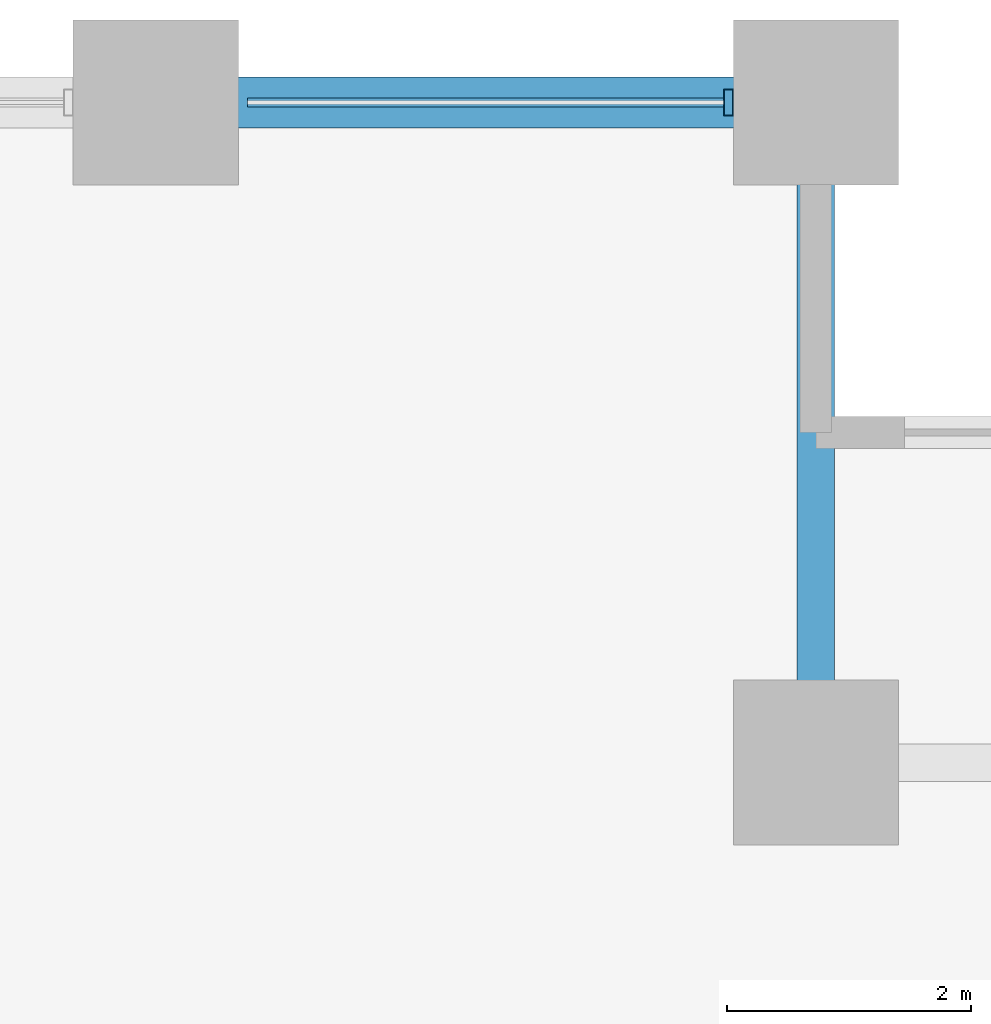
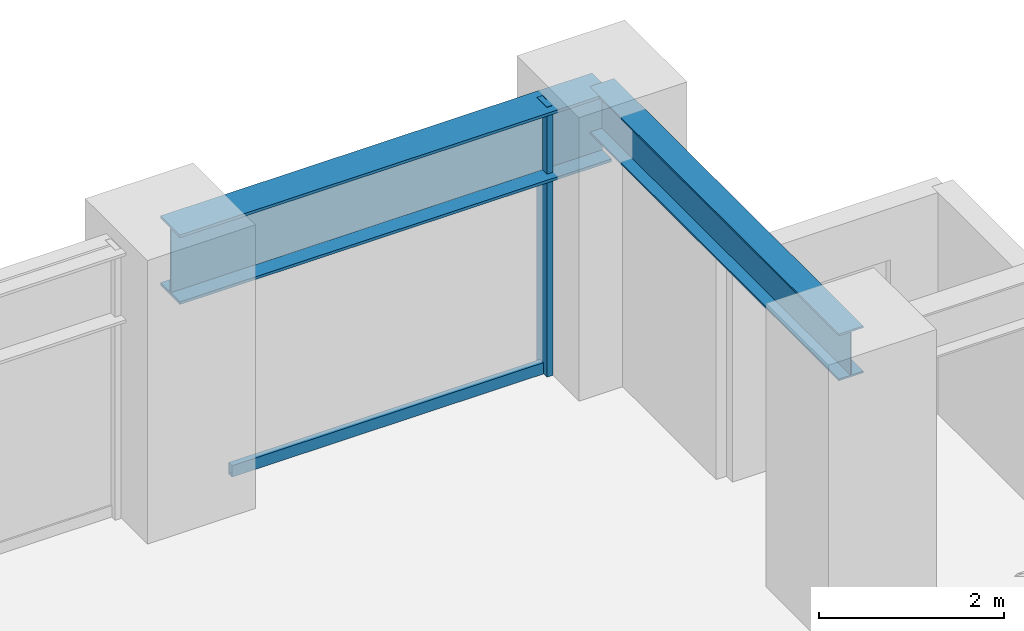
# One storey, part 16 of 25: 2 beams, 2 members, 1 element without a shape of its own.
"""IFC4 building model written with IfcOpenShell, lengths in metres."""

from ifc_helpers import new_model, si_unit, direction, frame, origin, origin_2d, place, context, subcontext, project, spatial, hollow_rectangle, i_section, extrude, material, layer, layer_set, material_profile, profile_set, type_object, element, aggregate, save


model = new_model("IFC4")

# Units and contexts
model_context = context("Model", 3, precision=1e-05, world=origin(), true_north=direction((0.0, 1.0)))
body_context = subcontext(model_context, "Body", "Model", "MODEL_VIEW")
ifc_project = project(units=[si_unit("LENGTHUNIT", "METRE"), si_unit("AREAUNIT", "SQUARE_METRE"), si_unit("VOLUMEUNIT", "CUBIC_METRE"), si_unit("PLANEANGLEUNIT", "RADIAN"), si_unit("MASSUNIT", "GRAM", prefix="KILO")], contexts=[model_context])

# Site, building, storey
site_placement = place(None, origin())
site = spatial("IfcSite", under=ifc_project, at=site_placement, CompositionType="ELEMENT")
building_placement = place(site_placement, origin())
building = spatial("IfcBuilding", under=site, at=building_placement, Name="Surkhivell Harbour Commons", CompositionType="ELEMENT")
storey_placement = place(building_placement, frame((0.0, 0.0, 37.5)))
storey = spatial("IfcBuildingStorey", under=building, at=storey_placement, Name="L09", CompositionType="ELEMENT", Elevation=37.5)

# Beams
ifc_material_1 = material(Name="Steel S355", Category="steel")
ifc_material_profile_1 = material_profile(ifc_material_1, i_section(OverallWidth=0.306884765625, OverallDepth=0.6201171875, WebThickness=0.01416015625, FlangeThickness=0.023681640625, at=origin_2d()), Name="UB610x305x179")
ifc_profile_set_1 = profile_set([ifc_material_profile_1], Name="Steel S355")
beam_type_1 = type_object("IfcBeamType", Name="BM-GRD-610A", PredefinedType="BEAM", material=ifc_profile_set_1)
beam_1_placement = place(storey_placement, frame((27.0, 20.5, 3.260009765625), z_axis=(0.0, 1.0, 0.0), x_axis=(-1.0, 0.0, 0.0)))
element("IfcBeam", 1, at=beam_1_placement, inside=storey, type_object=beam_type_1, Name="L09 Floor Girder (27.0,20.5)", PredefinedType="BEAM", context=body_context, shape_type="SweptSolid", body=[
    extrude(i_section(OverallWidth=0.306884765625, OverallDepth=0.6201171875, WebThickness=0.01416015625, FlangeThickness=0.023681640625, at=origin_2d()), origin(), (0.0, 0.0, 1.0), 5.39990234375),
])
ifc_material_2 = material(Name="Steel S460", Category="steel")
ifc_material_profile_2 = material_profile(ifc_material_2, i_section(OverallWidth=0.419921875, OverallDepth=0.9208984375, WebThickness=0.021484375, FlangeThickness=0.03662109375, at=origin_2d()), Name="UB914x419x388")
ifc_profile_set_2 = profile_set([ifc_material_profile_2], Name="Steel S460")
beam_type_2 = type_object("IfcBeamType", Name="BM-SPN-914A", PredefinedType="SPANDREL", material=ifc_profile_set_2)
beam_2_placement = place(storey_placement, frame((21.60009765625, 25.89990234375, 3.109619140625), z_axis=(1.0, 0.0, 0.0), x_axis=(0.0, 1.0, 0.0)))
element("IfcBeam", 2, at=beam_2_placement, inside=storey, type_object=beam_type_2, Name="L09 Tube Spandrel (21.6,25.9)", PredefinedType="SPANDREL", context=body_context, shape_type="SweptSolid", body=[
    extrude(i_section(OverallWidth=0.419921875, OverallDepth=0.9208984375, WebThickness=0.021484375, FlangeThickness=0.03662109375, at=origin_2d()), origin(), (0.0, 0.0, 1.0), 5.39990234375),
])

# Curtain wall, members
ifc_material_3 = material(Name="Anodised pale-metal aluminium and insulated glazing", Category="aluminium")
ifc_layer = layer(ifc_material_3, 0.219970703125)
ifc_layer_set = layer_set([ifc_layer], Name="Anodised pale-metal aluminium and insulated glazing")
curtain_wall_type = type_object("IfcCurtainWallType", Name="CW-SYS-Z1", PredefinedType="NOTDEFINED", material=ifc_layer_set)
curtain_wall_placement = place(storey_placement, origin())
curtain_wall = element("IfcCurtainWall", 3, at=curtain_wall_placement, inside=storey, type_object=curtain_wall_type, Name="L09 Curtain Wall CW-L09-E07S1", PredefinedType="NOTDEFINED")
ifc_material_4 = material(Name="Anodised pale-metal aluminium alloy 6063-T6", Category="aluminium")
ifc_material_profile_3 = material_profile(ifc_material_4, hollow_rectangle(XDim=0.074951171875, YDim=0.219970703125, WallThickness=0.00390625, at=origin_2d()), Name="ALU-MULL-75x220")
ifc_profile_set_3 = profile_set([ifc_material_profile_3], Name="Anodised pale-metal aluminium alloy 6063-T6")
member_type_1 = type_object("IfcMemberType", Name="CWM-220", PredefinedType="MULLION", material=ifc_profile_set_3)
member_1_placement = place(storey_placement, frame((26.285400390625, 25.89990234375, 0.0), z_axis=(0.0, 0.0, 1.0), x_axis=(-1.0, 0.0, 0.0)))
member_1 = element("IfcMember", 4, at=member_1_placement, type_object=member_type_1, Name="CW-Z1 mullion 1", PredefinedType="MULLION", context=body_context, shape_type="SweptSolid", body=[
    extrude(hollow_rectangle(XDim=0.074951171875, YDim=0.219970703125, WallThickness=0.00390625, at=origin_2d()), origin(), (0.0, 0.0, 1.0), 3.570068359375),
])
ifc_material_profile_4 = material_profile(ifc_material_4, hollow_rectangle(XDim=0.074951171875, YDim=0.14990234375, WallThickness=0.00341796875, at=origin_2d()), Name="ALU-TRAN-75x150")
ifc_profile_set_4 = profile_set([ifc_material_profile_4], Name="Anodised pale-metal aluminium alloy 6063-T6")
member_type_2 = type_object("IfcMemberType", Name="CWT-150", PredefinedType="USERDEFINED", material=ifc_profile_set_4)
member_2_placement = place(storey_placement, frame((26.248046875, 25.89990234375, 0.074951171875), z_axis=(-1.0, 0.0, 0.0), x_axis=(0.0, -1.0, 0.0)))
member_2 = element("IfcMember", 5, at=member_2_placement, type_object=member_type_2, Name="CW-Z1 transom 1.1", ObjectType="TRANSOM", PredefinedType="USERDEFINED", context=body_context, shape_type="SweptSolid", body=[
    extrude(hollow_rectangle(XDim=0.074951171875, YDim=0.14990234375, WallThickness=0.00341796875, at=origin_2d()), origin(), (0.0, 0.0, 1.0), 3.89599609375),
])
aggregate(curtain_wall, [member_1, member_2])

save(model, "model.ifc")
